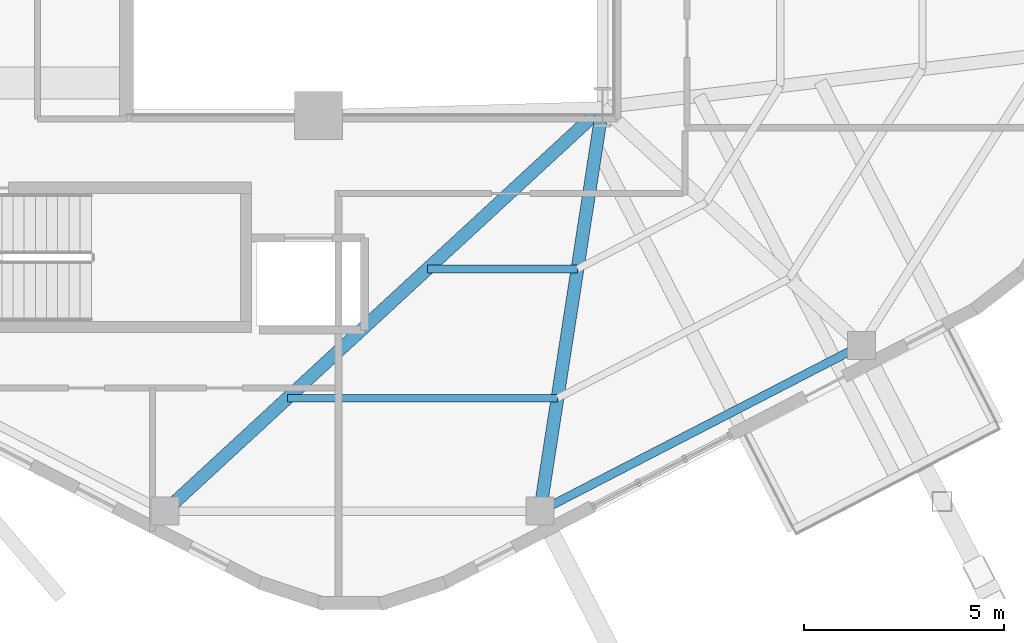
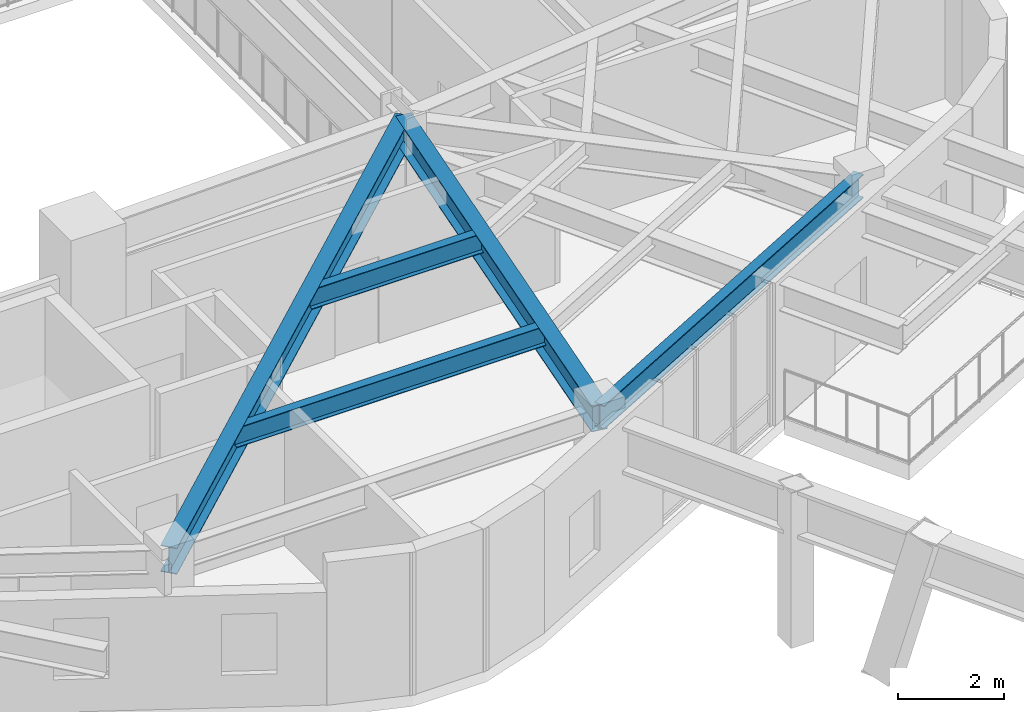
# One storey, part 3 of 10: 5 beams.
"""IFC4 building model written with IfcOpenShell, lengths in metres."""

from ifc_helpers import new_model, si_unit, direction, frame, origin, origin_2d, place, context, subcontext, project, spatial, i_section, extrude, material, material_profile, profile_set, type_object, element, save


model = new_model("IFC4")

# Units and contexts
model_context = context("Model", 3, precision=1e-05, world=origin(), true_north=direction((0.0, 1.0)))
body_context = subcontext(model_context, "Body", "Model", "MODEL_VIEW")
ifc_project = project(units=[si_unit("LENGTHUNIT", "METRE"), si_unit("AREAUNIT", "SQUARE_METRE"), si_unit("VOLUMEUNIT", "CUBIC_METRE"), si_unit("PLANEANGLEUNIT", "RADIAN"), si_unit("MASSUNIT", "GRAM", prefix="KILO"), si_unit("THERMODYNAMICTEMPERATUREUNIT", "KELVIN"), si_unit("POWERUNIT", "WATT")], contexts=[model_context])

# Site, building, storey
site_placement = place(None, origin())
site = spatial("IfcSite", under=ifc_project, at=site_placement, CompositionType="ELEMENT")
building_placement = place(site_placement, origin())
building = spatial("IfcBuilding", under=site, at=building_placement, Name="Skarre Station Tower", CompositionType="ELEMENT")
storey_placement = place(building_placement, frame((0.0, 0.0, 224.14990234375)))
storey = spatial("IfcBuildingStorey", under=building, at=storey_placement, Name="L61", CompositionType="ELEMENT", Elevation=224.14990234375)

# Beams
ifc_material = material(Name="Steel ASTM A992 Grade 50", Category="steel")
ifc_material_profile_1 = material_profile(ifc_material, i_section(OverallWidth=0.323974609375, OverallDepth=0.611083984375, WebThickness=0.012939453125, FlangeThickness=0.01904296875, at=origin_2d()), Name="Steel ASTM A992 Grade 50")
ifc_profile_set_1 = profile_set([ifc_material_profile_1], Name="Steel ASTM A992 Grade 50")
beam_type_1 = type_object("IfcBeamType", Name="Steel Beam W24X104", PredefinedType="BEAM", material=ifc_profile_set_1)
beam_1_placement = place(storey_placement, frame((39.449951171875, 18.64990234375, 2.985107421875), z_axis=(-0.734822935818, -0.678258986668, 0.0), x_axis=(0.678258986668, -0.734822935818, 0.0)))
element("IfcBeam", 1, at=beam_1_placement, inside=storey, type_object=beam_type_1, Name="L61 Radial Floor Girder F3C2", PredefinedType="BEAM", context=body_context, shape_type="SweptSolid", body=[
    extrude(i_section(OverallWidth=0.323974609375, OverallDepth=0.611083984375, WebThickness=0.012939453125, FlangeThickness=0.01904296875, at=origin_2d()), origin(), (0.0, 0.0, 1.0), 14.886474609375),
])
beam_2_placement = place(storey_placement, frame((39.449951171875, 18.64990234375, 2.985107421875), z_axis=(-0.152789762931, -0.988258715288, 0.0), x_axis=(0.988258715288, -0.152789762931, 0.0)))
element("IfcBeam", 2, at=beam_2_placement, inside=storey, type_object=beam_type_1, Name="L61 Radial Floor Girder F4C1", PredefinedType="BEAM", context=body_context, shape_type="SweptSolid", body=[
    extrude(i_section(OverallWidth=0.323974609375, OverallDepth=0.611083984375, WebThickness=0.012939453125, FlangeThickness=0.01904296875, at=origin_2d()), origin(), (0.0, 0.0, 1.0), 10.216796875),
])
ifc_material_profile_2 = material_profile(ifc_material, i_section(OverallWidth=0.19091796875, OverallDepth=0.45703125, WebThickness=0.009033203125, FlangeThickness=0.013916015625, at=origin_2d()), Name="Steel ASTM A992 Grade 50")
ifc_profile_set_2 = profile_set([ifc_material_profile_2], Name="Steel ASTM A992 Grade 50")
beam_type_2 = type_object("IfcBeamType", Name="Steel Joist W18X50", PredefinedType="JOIST", material=ifc_profile_set_2)
beam_3_placement = place(storey_placement, frame((35.073974609375, 14.611083984375, 3.06201171875), z_axis=(1.0, 0.0, 0.0), x_axis=(0.0, 1.0, 0.0)))
element("IfcBeam", 3, at=beam_3_placement, inside=storey, type_object=beam_type_2, Name="L61 Auxiliary Composite Joist 9", PredefinedType="JOIST", context=body_context, shape_type="SweptSolid", body=[
    extrude(i_section(OverallWidth=0.19091796875, OverallDepth=0.45703125, WebThickness=0.009033203125, FlangeThickness=0.013916015625, at=origin_2d()), origin(), (0.0, 0.0, 1.0), 3.751953125),
])
beam_4_placement = place(storey_placement, frame((31.573974609375, 11.3798828125, 3.06201171875), z_axis=(1.0, 0.0, 0.0), x_axis=(0.0, 1.0, 0.0)))
element("IfcBeam", 4, at=beam_4_placement, inside=storey, type_object=beam_type_2, Name="L61 Auxiliary Composite Joist 10", PredefinedType="JOIST", context=body_context, shape_type="SweptSolid", body=[
    extrude(i_section(OverallWidth=0.19091796875, OverallDepth=0.45703125, WebThickness=0.009033203125, FlangeThickness=0.013916015625, at=origin_2d()), origin(), (0.0, 0.0, 1.0), 6.751953125),
])
ifc_material_profile_3 = material_profile(ifc_material, i_section(OverallWidth=0.214111328125, OverallDepth=0.549072265625, WebThickness=0.014892578125, FlangeThickness=0.02392578125, at=origin_2d()), Name="Steel ASTM A992 Grade 50")
ifc_profile_set_3 = profile_set([ifc_material_profile_3], Name="Steel ASTM A992 Grade 50")
beam_type_3 = type_object("IfcBeamType", Name="Steel Spandrel W21X93", PredefinedType="SPANDREL", material=ifc_profile_set_3)
beam_5_placement = place(storey_placement, frame((37.888916015625, 8.552978515625, 3.01611328125), z_axis=(0.888610011727, 0.458663544505, 0.0), x_axis=(-0.458663544505, 0.888610011727, 0.0)))
element("IfcBeam", 5, at=beam_5_placement, inside=storey, type_object=beam_type_3, Name="L61 Facet Spandrel Beam 9", PredefinedType="SPANDREL", context=body_context, shape_type="SweptSolid", body=[
    extrude(i_section(OverallWidth=0.214111328125, OverallDepth=0.549072265625, WebThickness=0.014892578125, FlangeThickness=0.02392578125, at=origin_2d()), origin(), (0.0, 0.0, 1.0), 9.045654296875),
])

save(model, "model.ifc")
